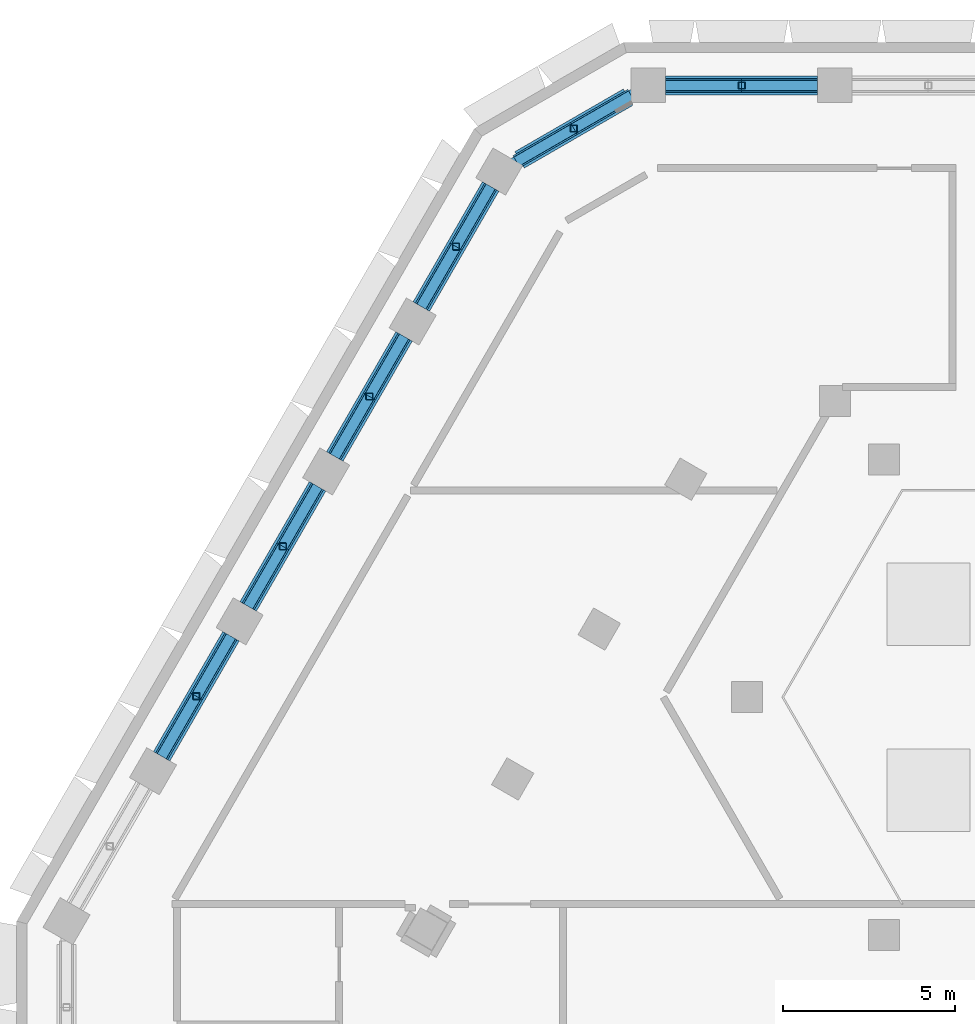
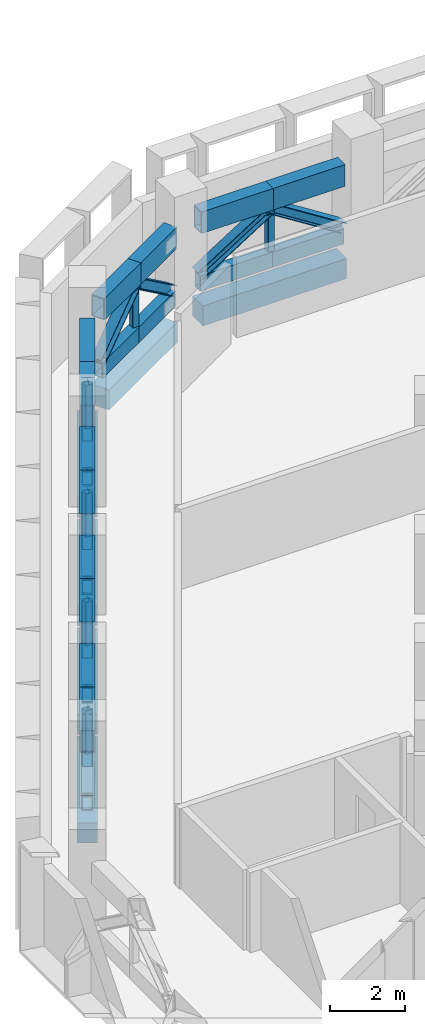
# One storey, part 7 of 23: 42 members, 6 beams.
"""IFC4 building model written with IfcOpenShell, lengths in metres."""

from ifc_helpers import new_model, si_unit, direction, frame, origin, origin_2d, place, context, subcontext, project, spatial, rectangle, hollow_rectangle, i_section, extrude, material, material_profile, profile_set, type_object, element, save


model = new_model("IFC4")

# Units and contexts
model_context = context("Model", 3, precision=1e-05, world=origin(), true_north=direction((0.0, 1.0)))
body_context = subcontext(model_context, "Body", "Model", "MODEL_VIEW")
ifc_project = project(units=[si_unit("LENGTHUNIT", "METRE"), si_unit("AREAUNIT", "SQUARE_METRE"), si_unit("VOLUMEUNIT", "CUBIC_METRE"), si_unit("PLANEANGLEUNIT", "RADIAN"), si_unit("MASSUNIT", "GRAM", prefix="KILO")], contexts=[model_context])

# Site, building, storey
site_placement = place(None, origin())
site = spatial("IfcSite", under=ifc_project, at=site_placement, CompositionType="ELEMENT")
building_placement = place(site_placement, origin())
building = spatial("IfcBuilding", under=site, at=building_placement, Name="Beryl Residences", CompositionType="ELEMENT")
storey_placement = place(building_placement, frame((0.0, 0.0, 108.0)))
storey = spatial("IfcBuildingStorey", under=building, at=storey_placement, Name="L33", CompositionType="ELEMENT", Elevation=108.0)

# Members
ifc_material_1 = material(Name="Steel S355", Category="steel")
ifc_material_profile_1 = material_profile(ifc_material_1, hollow_rectangle(XDim=0.300048828125, YDim=0.5, WallThickness=0.02490234375, at=origin_2d()))
ifc_profile_set_1 = profile_set([ifc_material_profile_1], Name="Steel S355")
member_type_1 = type_object("IfcMemberType", Name="BB2 belt truss bottom chord WB 500x300x25", PredefinedType="CHORD", material=ifc_profile_set_1)
member_1_placement = place(storey_placement, frame((-5.9140625, 25.75, 0.25), z_axis=(-1.0, 0.0, 0.0), x_axis=(0.0, -1.0, 0.0)))
element("IfcMember", 1, at=member_1_placement, inside=storey, type_object=member_type_1, Name="Outrigger truss BB2-N-3a L33", PredefinedType="CHORD", context=body_context, shape_type="SweptSolid", body=[
    extrude(hollow_rectangle(XDim=0.300048828125, YDim=0.5, WallThickness=0.02490234375, at=origin_2d()), origin(), (0.0, 0.0, 1.0), 2.2060546875),
])
member_2_placement = place(storey_placement, frame((-8.1201171875, 25.75, 0.25), z_axis=(-1.0, 0.0, 0.0), x_axis=(0.0, -1.0, 0.0)))
element("IfcMember", 2, at=member_2_placement, inside=storey, type_object=member_type_1, Name="Outrigger truss BB2-N-3b L33", PredefinedType="CHORD", context=body_context, shape_type="SweptSolid", body=[
    extrude(hollow_rectangle(XDim=0.300048828125, YDim=0.5, WallThickness=0.02490234375, at=origin_2d()), origin(), (0.0, 0.0, 1.0), 2.206787109375),
])
member_3_placement = place(storey_placement, frame((-11.326904296875, 25.4609375, 0.25), z_axis=(-0.866202511239, -0.499693115345, 0.0), x_axis=(0.499693115345, -0.866202511239, 0.0)))
element("IfcMember", 3, at=member_3_placement, inside=storey, type_object=member_type_1, Name="Outrigger truss BB2-N-4a L33", PredefinedType="CHORD", context=body_context, shape_type="SweptSolid", body=[
    extrude(hollow_rectangle(XDim=0.300048828125, YDim=0.5, WallThickness=0.02490234375, at=origin_2d()), origin(), (0.0, 0.0, 1.0), 1.921142578125),
])
member_4_placement = place(storey_placement, frame((-12.990966796875, 24.5009765625, 0.25), z_axis=(-0.865982457891, -0.500074377092, 0.0), x_axis=(0.500074377092, -0.865982457891, 0.0)))
element("IfcMember", 4, at=member_4_placement, inside=storey, type_object=member_type_1, Name="Outrigger truss BB2-N-4b L33", PredefinedType="CHORD", context=body_context, shape_type="SweptSolid", body=[
    extrude(hollow_rectangle(XDim=0.300048828125, YDim=0.5, WallThickness=0.02490234375, at=origin_2d()), origin(), (0.0, 0.0, 1.0), 1.921630859375),
])
member_5_placement = place(storey_placement, frame((-15.405029296875, 22.818115234375, 0.25), z_axis=(-0.499792463624, -0.866145191815, 0.0), x_axis=(0.866145191815, -0.499792463624, 0.0)))
element("IfcMember", 5, at=member_5_placement, inside=storey, type_object=member_type_1, Name="Outrigger truss BB2-NW-0a L33", PredefinedType="CHORD", context=body_context, shape_type="SweptSolid", body=[
    extrude(hollow_rectangle(XDim=0.300048828125, YDim=0.5, WallThickness=0.02490234375, at=origin_2d()), origin(), (0.0, 0.0, 1.0), 2.012451171875),
])
member_6_placement = place(storey_placement, frame((-16.410888671875, 21.074951171875, 0.25), z_axis=(-0.500146161777, -0.865941000796, 0.0), x_axis=(0.865941000796, -0.500146161777, 0.0)))
element("IfcMember", 6, at=member_6_placement, inside=storey, type_object=member_type_1, Name="Outrigger truss BB2-NW-0b L33", PredefinedType="CHORD", context=body_context, shape_type="SweptSolid", body=[
    extrude(hollow_rectangle(XDim=0.300048828125, YDim=0.5, WallThickness=0.02490234375, at=origin_2d()), origin(), (0.0, 0.0, 1.0), 2.01171875),
])
member_7_placement = place(storey_placement, frame((-17.9169921875, 18.467041015625, 0.25), z_axis=(-0.499782004428, -0.866151227009, 0.0), x_axis=(0.866151227009, -0.499782004428, 0.0)))
element("IfcMember", 7, at=member_7_placement, inside=storey, type_object=member_type_1, Name="Outrigger truss BB2-NW-1a L33", PredefinedType="CHORD", context=body_context, shape_type="SweptSolid", body=[
    extrude(hollow_rectangle(XDim=0.300048828125, YDim=0.5, WallThickness=0.02490234375, at=origin_2d()), origin(), (0.0, 0.0, 1.0), 2.01123046875),
])
for number, where, z_axis, x_axis, name in (
    (8, (-18.922119140625, 16.72509765625, 0.25), (-0.500002592159, -0.866023907196, 0.0), (0.866023907196, -0.500002592159, 0.0), "Outrigger truss BB2-NW-1b L33"),
    (9, (-20.427978515625, 14.116943359375, 0.25), (-0.500146161777, -0.865941000796, 0.0), (0.865941000796, -0.500146161777, 0.0), "Outrigger truss BB2-NW-2a L33"),
):
    element("IfcMember", number, at=place(storey_placement, frame(where, z_axis=z_axis, x_axis=x_axis)), inside=storey, type_object=member_type_1, Name=name, PredefinedType="CHORD", context=body_context, shape_type="SweptSolid", body=[
        extrude(hollow_rectangle(XDim=0.300048828125, YDim=0.5, WallThickness=0.02490234375, at=origin_2d()), origin(), (0.0, 0.0, 1.0), 2.01171875),
    ])
member_8_placement = place(storey_placement, frame((-21.43408203125, 12.375, 0.25), z_axis=(-0.500055147301, -0.865993562134, 0.0), x_axis=(0.865993562134, -0.500055147301, 0.0)))
element("IfcMember", 10, at=member_8_placement, inside=storey, type_object=member_type_1, Name="Outrigger truss BB2-NW-2b L33", PredefinedType="CHORD", context=body_context, shape_type="SweptSolid", body=[
    extrude(hollow_rectangle(XDim=0.300048828125, YDim=0.5, WallThickness=0.02490234375, at=origin_2d()), origin(), (0.0, 0.0, 1.0), 2.011474609375),
])
member_9_placement = place(storey_placement, frame((-22.93994140625, 9.76708984375, 0.25), z_axis=(-0.500093603449, -0.865971355063, 0.0), x_axis=(0.865971355063, -0.500093603449, 0.0)))
element("IfcMember", 11, at=member_9_placement, inside=storey, type_object=member_type_1, Name="Outrigger truss BB2-NW-3a L33", PredefinedType="CHORD", context=body_context, shape_type="SweptSolid", body=[
    extrude(hollow_rectangle(XDim=0.300048828125, YDim=0.5, WallThickness=0.02490234375, at=origin_2d()), origin(), (0.0, 0.0, 1.0), 2.01171875),
])
member_10_placement = place(storey_placement, frame((-23.946044921875, 8.02490234375, 0.25), z_axis=(-0.500055147301, -0.865993562134, 0.0), x_axis=(0.865993562134, -0.500055147301, 0.0)))
element("IfcMember", 12, at=member_10_placement, inside=storey, type_object=member_type_1, Name="Outrigger truss BB2-NW-3b L33", PredefinedType="CHORD", context=body_context, shape_type="SweptSolid", body=[
    extrude(hollow_rectangle(XDim=0.300048828125, YDim=0.5, WallThickness=0.02490234375, at=origin_2d()), origin(), (0.0, 0.0, 1.0), 2.011474609375),
])
ifc_material_2 = material(Name="Steel S355", Category="steel")
ifc_material_profile_2 = material_profile(ifc_material_2, i_section(OverallWidth=0.30908203125, OverallDepth=0.320068359375, WebThickness=0.013916015625, FlangeThickness=0.021728515625, FilletRadius=0.0166015625, at=origin_2d()))
ifc_profile_set_2 = profile_set([ifc_material_profile_2], Name="Steel S355")
member_type_2 = type_object("IfcMemberType", Name="BD2 belt truss diagonal 310UC137", PredefinedType="BRACE", material=ifc_profile_set_2)
member_11_placement = place(storey_placement, frame((-5.9140625, 25.75, 0.5), z_axis=(-0.844345679218, 0.0, 0.535798818574), x_axis=(0.0, -1.0, 0.0)))
element("IfcMember", 13, at=member_11_placement, inside=storey, type_object=member_type_2, Name="Outrigger truss BD2-N-3a L33", PredefinedType="BRACE", context=body_context, shape_type="SweptSolid", body=[
    extrude(i_section(OverallWidth=0.30908203125, OverallDepth=0.320068359375, WebThickness=0.013916015625, FlangeThickness=0.021728515625, FilletRadius=0.0166015625, at=origin_2d()), origin(), (0.0, 0.0, 1.0), 2.61279296875),
])
member_12_placement = place(storey_placement, frame((-10.326904296875, 25.75, 0.5), z_axis=(0.844426127106, 0.0, 0.53567202266), x_axis=(0.0, 1.0, 0.0)))
element("IfcMember", 14, at=member_12_placement, inside=storey, type_object=member_type_2, Name="Outrigger truss BD2-N-3b L33", PredefinedType="BRACE", context=body_context, shape_type="SweptSolid", body=[
    extrude(i_section(OverallWidth=0.30908203125, OverallDepth=0.320068359375, WebThickness=0.013916015625, FlangeThickness=0.021728515625, FilletRadius=0.0166015625, at=origin_2d()), origin(), (0.0, 0.0, 1.0), 2.61328125),
])
member_13_placement = place(storey_placement, frame((-11.326904296875, 25.4609375, 0.5), z_axis=(-0.700054327083, -0.403845894086, 0.588924810958), x_axis=(0.499693115345, -0.866202511239, 0.0)))
element("IfcMember", 15, at=member_13_placement, inside=storey, type_object=member_type_2, Name="Outrigger truss BD2-N-4a L33", PredefinedType="BRACE", context=body_context, shape_type="SweptSolid", body=[
    extrude(i_section(OverallWidth=0.30908203125, OverallDepth=0.320068359375, WebThickness=0.013916015625, FlangeThickness=0.021728515625, FilletRadius=0.0166015625, at=origin_2d()), origin(), (0.0, 0.0, 1.0), 2.376953125),
])
member_14_placement = place(storey_placement, frame((-14.655029296875, 23.5400390625, 0.5), z_axis=(0.699938149511, 0.404189635633, 0.588827075894), x_axis=(-0.500074377092, 0.865982457891, 0.0)))
element("IfcMember", 16, at=member_14_placement, inside=storey, type_object=member_type_2, Name="Outrigger truss BD2-N-4b L33", PredefinedType="BRACE", context=body_context, shape_type="SweptSolid", body=[
    extrude(i_section(OverallWidth=0.30908203125, OverallDepth=0.320068359375, WebThickness=0.013916015625, FlangeThickness=0.021728515625, FilletRadius=0.0166015625, at=origin_2d()), origin(), (0.0, 0.0, 1.0), 2.37744140625),
])
member_15_placement = place(storey_placement, frame((-15.405029296875, 22.818115234375, 0.5), z_axis=(-0.41029516313, -0.711045501152, 0.571027297424), x_axis=(0.866145191815, -0.499792463624, 0.0)))
element("IfcMember", 17, at=member_15_placement, inside=storey, type_object=member_type_2, Name="Outrigger truss BD2-NW-0a L33", PredefinedType="BRACE", context=body_context, shape_type="SweptSolid", body=[
    extrude(i_section(OverallWidth=0.30908203125, OverallDepth=0.320068359375, WebThickness=0.013916015625, FlangeThickness=0.021728515625, FilletRadius=0.0166015625, at=origin_2d()), origin(), (0.0, 0.0, 1.0), 2.45166015625),
])
member_16_placement = place(storey_placement, frame((-17.4169921875, 19.3330078125, 0.5), z_axis=(0.41052328909, 0.710770120761, 0.571206148906), x_axis=(-0.865941000796, 0.500146161777, 0.0)))
element("IfcMember", 18, at=member_16_placement, inside=storey, type_object=member_type_2, Name="Outrigger truss BD2-NW-0b L33", PredefinedType="BRACE", context=body_context, shape_type="SweptSolid", body=[
    extrude(i_section(OverallWidth=0.30908203125, OverallDepth=0.320068359375, WebThickness=0.013916015625, FlangeThickness=0.021728515625, FilletRadius=0.0166015625, at=origin_2d()), origin(), (0.0, 0.0, 1.0), 2.45068359375),
])
member_17_placement = place(storey_placement, frame((-17.9169921875, 18.467041015625, 0.5), z_axis=(-0.410191892043, -0.710886361361, 0.571299564968), x_axis=(0.866151227009, -0.499782004428, 0.0)))
element("IfcMember", 19, at=member_17_placement, inside=storey, type_object=member_type_2, Name="Outrigger truss BD2-NW-1a L33", PredefinedType="BRACE", context=body_context, shape_type="SweptSolid", body=[
    extrude(i_section(OverallWidth=0.30908203125, OverallDepth=0.320068359375, WebThickness=0.013916015625, FlangeThickness=0.021728515625, FilletRadius=0.0166015625, at=origin_2d()), origin(), (0.0, 0.0, 1.0), 2.450439453125),
])
member_18_placement = place(storey_placement, frame((-19.927978515625, 14.98291015625, 0.5), z_axis=(0.410411392479, 0.71084847008, 0.571189059339), x_axis=(-0.866023907196, 0.500002592159, 0.0)))
element("IfcMember", 20, at=member_18_placement, inside=storey, type_object=member_type_2, Name="Outrigger truss BD2-NW-1b L33", PredefinedType="BRACE", context=body_context, shape_type="SweptSolid", body=[
    extrude(i_section(OverallWidth=0.30908203125, OverallDepth=0.320068359375, WebThickness=0.013916015625, FlangeThickness=0.021728515625, FilletRadius=0.0166015625, at=origin_2d()), origin(), (0.0, 0.0, 1.0), 2.450927734375),
])
for number, where, z_axis, x_axis, name in (
    (21, (-20.427978515625, 14.116943359375, 0.5), (-0.41052328909, -0.710770120761, 0.571206148906), (0.865941000796, -0.500146161777, 0.0), "Outrigger truss BD2-NW-2a L33"),
    (22, (-22.43994140625, 10.633056640625, 0.5), (0.41044045507, 0.710799186147, 0.571229507129), (-0.865993562134, 0.500055147301, 0.0), "Outrigger truss BD2-NW-2b L33"),
):
    element("IfcMember", number, at=place(storey_placement, frame(where, z_axis=z_axis, x_axis=x_axis)), inside=storey, type_object=member_type_2, Name=name, PredefinedType="BRACE", context=body_context, shape_type="SweptSolid", body=[
        extrude(i_section(OverallWidth=0.30908203125, OverallDepth=0.320068359375, WebThickness=0.013916015625, FlangeThickness=0.021728515625, FilletRadius=0.0166015625, at=origin_2d()), origin(), (0.0, 0.0, 1.0), 2.45068359375),
    ])
member_19_placement = place(storey_placement, frame((-22.93994140625, 9.76708984375, 0.5), z_axis=(-0.410494223011, -0.710819406795, 0.571165706077), x_axis=(0.865971355063, -0.500093603449, 0.0)))
element("IfcMember", 23, at=member_19_placement, inside=storey, type_object=member_type_2, Name="Outrigger truss BD2-NW-3a L33", PredefinedType="BRACE", context=body_context, shape_type="SweptSolid", body=[
    extrude(i_section(OverallWidth=0.30908203125, OverallDepth=0.320068359375, WebThickness=0.013916015625, FlangeThickness=0.021728515625, FilletRadius=0.0166015625, at=origin_2d()), origin(), (0.0, 0.0, 1.0), 2.450927734375),
])
member_20_placement = place(storey_placement, frame((-24.951904296875, 6.282958984375, 0.5), z_axis=(0.41044045507, 0.710799186147, 0.571229507129), x_axis=(-0.865993562134, 0.500055147301, 0.0)))
element("IfcMember", 24, at=member_20_placement, inside=storey, type_object=member_type_2, Name="Outrigger truss BD2-NW-3b L33", PredefinedType="BRACE", context=body_context, shape_type="SweptSolid", body=[
    extrude(i_section(OverallWidth=0.30908203125, OverallDepth=0.320068359375, WebThickness=0.013916015625, FlangeThickness=0.021728515625, FilletRadius=0.0166015625, at=origin_2d()), origin(), (0.0, 0.0, 1.0), 2.45068359375),
])
ifc_material_3 = material(Name="Steel S355", Category="steel")
ifc_material_profile_3 = material_profile(ifc_material_3, hollow_rectangle(XDim=0.199951171875, YDim=0.199951171875, WallThickness=0.009033203125, InnerFilletRadius=0.009033203125, OuterFilletRadius=0.01806640625, at=origin_2d()))
ifc_profile_set_3 = profile_set([ifc_material_profile_3], Name="Steel S355")
member_type_3 = type_object("IfcMemberType", Name="BQ2 belt truss post SHS 200x200x9", PredefinedType="POST", material=ifc_profile_set_3)
for number, where, z_axis, x_axis, name in (
    (25, (-8.1201171875, 25.75, 0.5), (0.0, 0.0, 1.0), (1.0, 0.0, 0.0), "Outrigger truss BQ2-N-3 L33"),
    (26, (-12.990966796875, 24.5009765625, 0.5), (0.0, 0.0, 1.0), (1.0, 0.0, 0.0), "Outrigger truss BQ2-N-4 L33"),
    (27, (-16.410888671875, 21.074951171875, 0.5), (0.0, 0.0, 1.0), (1.0, 0.0, 0.0), "Outrigger truss BQ2-NW-0 L33"),
    (28, (-18.922119140625, 16.72509765625, 0.5), (0.0, 0.0, 1.0), (1.0, 0.0, 0.0), "Outrigger truss BQ2-NW-1 L33"),
    (29, (-21.43408203125, 12.375, 0.5), (0.0, 0.0, 1.0), (1.0, 0.0, 0.0), "Outrigger truss BQ2-NW-2 L33"),
    (30, (-23.946044921875, 8.02490234375, 0.5), (0.0, 0.0, 1.0), (1.0, 0.0, 0.0), "Outrigger truss BQ2-NW-3 L33"),
):
    element("IfcMember", number, at=place(storey_placement, frame(where, z_axis=z_axis, x_axis=x_axis)), inside=storey, type_object=member_type_3, Name=name, PredefinedType="POST", context=body_context, shape_type="SweptSolid", body=[
        extrude(hollow_rectangle(XDim=0.199951171875, YDim=0.199951171875, WallThickness=0.009033203125, InnerFilletRadius=0.009033203125, OuterFilletRadius=0.01806640625, at=origin_2d()), origin(), (0.0, 0.0, 1.0), 1.39990234375),
    ])
ifc_material_4 = material(Name="Steel S355", Category="steel")
ifc_material_profile_4 = material_profile(ifc_material_4, hollow_rectangle(XDim=0.39990234375, YDim=0.699951171875, WallThickness=0.030029296875, at=origin_2d()))
ifc_profile_set_4 = profile_set([ifc_material_profile_4], Name="Steel S355")
member_type_4 = type_object("IfcMemberType", Name="BT2 belt truss top chord WB 700x400x30", PredefinedType="CHORD", material=ifc_profile_set_4)
member_21_placement = place(storey_placement, frame((-5.9140625, 25.75, 2.25), z_axis=(-1.0, 0.0, 0.0), x_axis=(0.0, -1.0, 0.0)))
element("IfcMember", 31, at=member_21_placement, inside=storey, type_object=member_type_4, Name="Outrigger truss BT2-N-3a L33", PredefinedType="CHORD", context=body_context, shape_type="SweptSolid", body=[
    extrude(hollow_rectangle(XDim=0.39990234375, YDim=0.699951171875, WallThickness=0.030029296875, at=origin_2d()), origin(), (0.0, 0.0, 1.0), 2.2060546875),
])
member_22_placement = place(storey_placement, frame((-8.1201171875, 25.75, 2.25), z_axis=(-1.0, 0.0, 0.0), x_axis=(0.0, -1.0, 0.0)))
element("IfcMember", 32, at=member_22_placement, inside=storey, type_object=member_type_4, Name="Outrigger truss BT2-N-3b L33", PredefinedType="CHORD", context=body_context, shape_type="SweptSolid", body=[
    extrude(hollow_rectangle(XDim=0.39990234375, YDim=0.699951171875, WallThickness=0.030029296875, at=origin_2d()), origin(), (0.0, 0.0, 1.0), 2.206787109375),
])
member_23_placement = place(storey_placement, frame((-11.326904296875, 25.4609375, 2.25), z_axis=(-0.866202511239, -0.499693115345, 0.0), x_axis=(0.499693115345, -0.866202511239, 0.0)))
element("IfcMember", 33, at=member_23_placement, inside=storey, type_object=member_type_4, Name="Outrigger truss BT2-N-4a L33", PredefinedType="CHORD", context=body_context, shape_type="SweptSolid", body=[
    extrude(hollow_rectangle(XDim=0.39990234375, YDim=0.699951171875, WallThickness=0.030029296875, at=origin_2d()), origin(), (0.0, 0.0, 1.0), 1.921142578125),
])
member_24_placement = place(storey_placement, frame((-12.990966796875, 24.5009765625, 2.25), z_axis=(-0.865982457891, -0.500074377092, 0.0), x_axis=(0.500074377092, -0.865982457891, 0.0)))
element("IfcMember", 34, at=member_24_placement, inside=storey, type_object=member_type_4, Name="Outrigger truss BT2-N-4b L33", PredefinedType="CHORD", context=body_context, shape_type="SweptSolid", body=[
    extrude(hollow_rectangle(XDim=0.39990234375, YDim=0.699951171875, WallThickness=0.030029296875, at=origin_2d()), origin(), (0.0, 0.0, 1.0), 1.921630859375),
])
member_25_placement = place(storey_placement, frame((-15.405029296875, 22.818115234375, 2.25), z_axis=(-0.499792463624, -0.866145191815, 0.0), x_axis=(0.866145191815, -0.499792463624, 0.0)))
element("IfcMember", 35, at=member_25_placement, inside=storey, type_object=member_type_4, Name="Outrigger truss BT2-NW-0a L33", PredefinedType="CHORD", context=body_context, shape_type="SweptSolid", body=[
    extrude(hollow_rectangle(XDim=0.39990234375, YDim=0.699951171875, WallThickness=0.030029296875, at=origin_2d()), origin(), (0.0, 0.0, 1.0), 2.012451171875),
])
member_26_placement = place(storey_placement, frame((-16.410888671875, 21.074951171875, 2.25), z_axis=(-0.500146161777, -0.865941000796, 0.0), x_axis=(0.865941000796, -0.500146161777, 0.0)))
element("IfcMember", 36, at=member_26_placement, inside=storey, type_object=member_type_4, Name="Outrigger truss BT2-NW-0b L33", PredefinedType="CHORD", context=body_context, shape_type="SweptSolid", body=[
    extrude(hollow_rectangle(XDim=0.39990234375, YDim=0.699951171875, WallThickness=0.030029296875, at=origin_2d()), origin(), (0.0, 0.0, 1.0), 2.01171875),
])
member_27_placement = place(storey_placement, frame((-17.9169921875, 18.467041015625, 2.25), z_axis=(-0.499782004428, -0.866151227009, 0.0), x_axis=(0.866151227009, -0.499782004428, 0.0)))
element("IfcMember", 37, at=member_27_placement, inside=storey, type_object=member_type_4, Name="Outrigger truss BT2-NW-1a L33", PredefinedType="CHORD", context=body_context, shape_type="SweptSolid", body=[
    extrude(hollow_rectangle(XDim=0.39990234375, YDim=0.699951171875, WallThickness=0.030029296875, at=origin_2d()), origin(), (0.0, 0.0, 1.0), 2.01123046875),
])
for number, where, z_axis, x_axis, name in (
    (38, (-18.922119140625, 16.72509765625, 2.25), (-0.500002592159, -0.866023907196, 0.0), (0.866023907196, -0.500002592159, 0.0), "Outrigger truss BT2-NW-1b L33"),
    (39, (-20.427978515625, 14.116943359375, 2.25), (-0.500146161777, -0.865941000796, 0.0), (0.865941000796, -0.500146161777, 0.0), "Outrigger truss BT2-NW-2a L33"),
):
    element("IfcMember", number, at=place(storey_placement, frame(where, z_axis=z_axis, x_axis=x_axis)), inside=storey, type_object=member_type_4, Name=name, PredefinedType="CHORD", context=body_context, shape_type="SweptSolid", body=[
        extrude(hollow_rectangle(XDim=0.39990234375, YDim=0.699951171875, WallThickness=0.030029296875, at=origin_2d()), origin(), (0.0, 0.0, 1.0), 2.01171875),
    ])
member_28_placement = place(storey_placement, frame((-21.43408203125, 12.375, 2.25), z_axis=(-0.500055147301, -0.865993562134, 0.0), x_axis=(0.865993562134, -0.500055147301, 0.0)))
element("IfcMember", 40, at=member_28_placement, inside=storey, type_object=member_type_4, Name="Outrigger truss BT2-NW-2b L33", PredefinedType="CHORD", context=body_context, shape_type="SweptSolid", body=[
    extrude(hollow_rectangle(XDim=0.39990234375, YDim=0.699951171875, WallThickness=0.030029296875, at=origin_2d()), origin(), (0.0, 0.0, 1.0), 2.011474609375),
])
member_29_placement = place(storey_placement, frame((-22.93994140625, 9.76708984375, 2.25), z_axis=(-0.500093603449, -0.865971355063, 0.0), x_axis=(0.865971355063, -0.500093603449, 0.0)))
element("IfcMember", 41, at=member_29_placement, inside=storey, type_object=member_type_4, Name="Outrigger truss BT2-NW-3a L33", PredefinedType="CHORD", context=body_context, shape_type="SweptSolid", body=[
    extrude(hollow_rectangle(XDim=0.39990234375, YDim=0.699951171875, WallThickness=0.030029296875, at=origin_2d()), origin(), (0.0, 0.0, 1.0), 2.01171875),
])
member_30_placement = place(storey_placement, frame((-23.946044921875, 8.02490234375, 2.25), z_axis=(-0.500055147301, -0.865993562134, 0.0), x_axis=(0.865993562134, -0.500055147301, 0.0)))
element("IfcMember", 42, at=member_30_placement, inside=storey, type_object=member_type_4, Name="Outrigger truss BT2-NW-3b L33", PredefinedType="CHORD", context=body_context, shape_type="SweptSolid", body=[
    extrude(hollow_rectangle(XDim=0.39990234375, YDim=0.699951171875, WallThickness=0.030029296875, at=origin_2d()), origin(), (0.0, 0.0, 1.0), 2.011474609375),
])

# Beams
ifc_material_5 = material(Name="Concrete C70/85", Category="concrete")
ifc_material_profile_5 = material_profile(ifc_material_5, rectangle(XDim=0.550048828125, YDim=0.64990234375, at=origin_2d()))
ifc_profile_set_5 = profile_set([ifc_material_profile_5], Name="Concrete C70/85")
beam_type = type_object("IfcBeamType", Name="SB2 spandrel beam 550 x 650 C70/85", PredefinedType="SPANDREL", material=ifc_profile_set_5)
beam_1_placement = place(storey_placement, frame((-5.9140625, 25.75, -0.72509765625), z_axis=(-1.0, 0.0, 0.0), x_axis=(0.0, -1.0, 0.0)))
element("IfcBeam", 43, at=beam_1_placement, inside=storey, type_object=beam_type, Name="SB2 L33 N-3", PredefinedType="SPANDREL", context=body_context, shape_type="SweptSolid", body=[
    extrude(rectangle(XDim=0.550048828125, YDim=0.64990234375, at=origin_2d()), origin(), (0.0, 0.0, 1.0), 4.412841796875),
])
beam_2_placement = place(storey_placement, frame((-11.41796875, 25.408935546875, -0.72509765625), z_axis=(-0.865959503272, -0.500114125668, 0.0), x_axis=(0.500114125668, -0.865959503272, 0.0)))
element("IfcBeam", 44, at=beam_2_placement, inside=storey, type_object=beam_type, Name="SB2 L33 N-4", PredefinedType="SPANDREL", context=body_context, shape_type="SweptSolid", body=[
    extrude(rectangle(XDim=0.550048828125, YDim=0.64990234375, at=origin_2d()), origin(), (0.0, 0.0, 1.0), 3.633056640625),
])
beam_3_placement = place(storey_placement, frame((-15.405029296875, 22.818115234375, -0.72509765625), z_axis=(-0.49996928203, -0.866043138087, 0.0), x_axis=(0.866043138087, -0.49996928203, 0.0)))
element("IfcBeam", 45, at=beam_3_placement, inside=storey, type_object=beam_type, Name="SB2 L33 NW-0", PredefinedType="SPANDREL", context=body_context, shape_type="SweptSolid", body=[
    extrude(rectangle(XDim=0.550048828125, YDim=0.64990234375, at=origin_2d()), origin(), (0.0, 0.0, 1.0), 4.024169921875),
])
beam_4_placement = place(storey_placement, frame((-17.9169921875, 18.467041015625, -0.72509765625), z_axis=(-0.499892318183, -0.866087564985, 0.0), x_axis=(0.866087564985, -0.499892318183, 0.0)))
element("IfcBeam", 46, at=beam_4_placement, inside=storey, type_object=beam_type, Name="SB2 L33 NW-1", PredefinedType="SPANDREL", context=body_context, shape_type="SweptSolid", body=[
    extrude(rectangle(XDim=0.550048828125, YDim=0.64990234375, at=origin_2d()), origin(), (0.0, 0.0, 1.0), 4.02294921875),
])
beam_5_placement = place(storey_placement, frame((-20.427978515625, 14.116943359375, -0.72509765625), z_axis=(-0.500100656611, -0.865967281863, 0.0), x_axis=(0.865967281863, -0.500100656611, 0.0)))
element("IfcBeam", 47, at=beam_5_placement, inside=storey, type_object=beam_type, Name="SB2 L33 NW-2", PredefinedType="SPANDREL", context=body_context, shape_type="SweptSolid", body=[
    extrude(rectangle(XDim=0.550048828125, YDim=0.64990234375, at=origin_2d()), origin(), (0.0, 0.0, 1.0), 4.023193359375),
])
beam_6_placement = place(storey_placement, frame((-22.93994140625, 9.76708984375, -0.72509765625), z_axis=(-0.500074377092, -0.865982457891, 0.0), x_axis=(0.865982457891, -0.500074377092, 0.0)))
element("IfcBeam", 48, at=beam_6_placement, inside=storey, type_object=beam_type, Name="SB2 L33 NW-3", PredefinedType="SPANDREL", context=body_context, shape_type="SweptSolid", body=[
    extrude(rectangle(XDim=0.550048828125, YDim=0.64990234375, at=origin_2d()), origin(), (0.0, 0.0, 1.0), 4.0234375),
])

save(model, "model.ifc")
